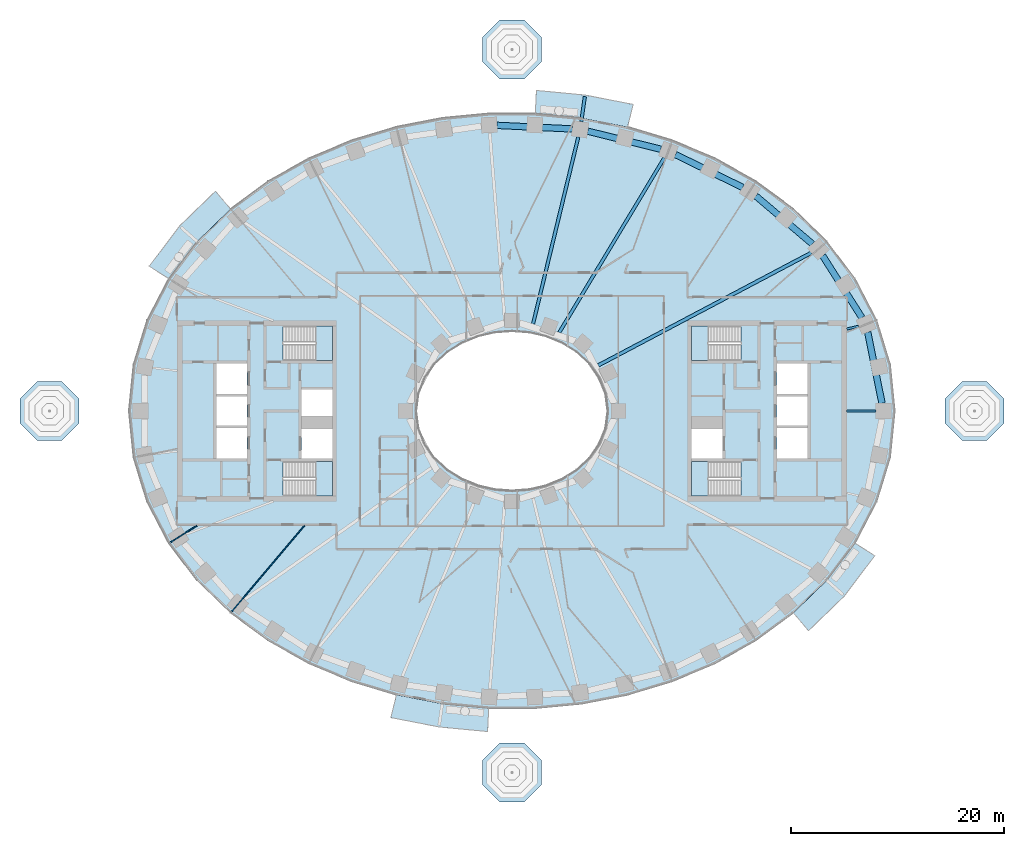
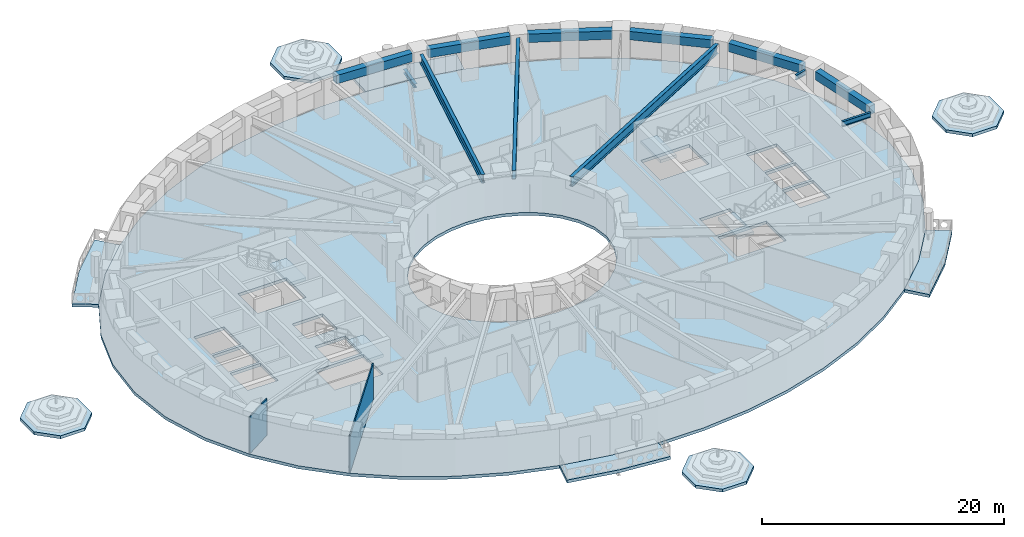
# One storey, part 2 of 20: 13 slabs, 12 beams, 2 walls, 4 elements without a shape of their own.
"""IFC4 building model written with IfcOpenShell, lengths in metres."""

from ifc_helpers import new_model, si_unit, direction, frame, frame_2d, origin, origin_2d, place, context, subcontext, project, spatial, polyline, rectangle, i_section, outline, extrude, material, layer, layer_set, material_profile, profile_set, type_object, element, aggregate, save


model = new_model("IFC4")

# Units and contexts
model_context = context("Model", 3, precision=1e-05, world=origin(), true_north=direction((0.0, 1.0)))
body_context = subcontext(model_context, "Body", "Model", "MODEL_VIEW")
ifc_project = project(units=[si_unit("LENGTHUNIT", "METRE"), si_unit("AREAUNIT", "SQUARE_METRE"), si_unit("VOLUMEUNIT", "CUBIC_METRE"), si_unit("PLANEANGLEUNIT", "RADIAN"), si_unit("MASSUNIT", "GRAM", prefix="KILO")], contexts=[model_context])

# Site, building, storey
site_placement = place(None, origin())
site = spatial("IfcSite", under=ifc_project, at=site_placement, CompositionType="ELEMENT")
building_placement = place(site_placement, origin())
building = spatial("IfcBuilding", under=site, at=building_placement, Name="Noorbagh Ring Tower", CompositionType="ELEMENT")
storey_placement = place(building_placement, frame((0.0, 0.0, 34.5)))
storey = spatial("IfcBuildingStorey", under=building, at=storey_placement, Name="L06", CompositionType="ELEMENT", Elevation=34.5)

# Beams
ifc_material_1 = material(Name="Steel S355", Category="steel")
ifc_material_profile_1 = material_profile(ifc_material_1, i_section(OverallWidth=0.300048828125, OverallDepth=0.39990234375, WebThickness=0.013427734375, FlangeThickness=0.02392578125, FilletRadius=0.027099609375, at=origin_2d()), Name="HEB400")
ifc_profile_set_1 = profile_set([ifc_material_profile_1], Name="Steel S355")
beam_type_1 = type_object("IfcBeamType", Name="STR-BALCONY-BRACKET-HEB400", PredefinedType="BEAM", material=ifc_profile_set_1)
beam_1_placement = place(storey_placement, frame((6.513671875, 27.21337890625, -0.5), z_axis=(0.143062628068, 0.989713637599, 0.0), x_axis=(-0.989713637599, 0.143062628068, 0.0)))
element("IfcBeam", 1, at=beam_1_placement, inside=storey, type_object=beam_type_1, Name="Balcony bracket beam BN03", PredefinedType="BEAM", context=body_context, shape_type="SweptSolid", body=[
    extrude(i_section(OverallWidth=0.300048828125, OverallDepth=0.39990234375, WebThickness=0.013427734375, FlangeThickness=0.02392578125, FilletRadius=0.027099609375, at=origin_2d()), origin(), (0.0, 0.0, 1.0), 2.373779296875),
])
ifc_material_2 = material(Name="Steel S355", Category="steel")
ifc_material_profile_2 = material_profile(ifc_material_2, i_section(OverallWidth=0.199951171875, OverallDepth=0.5, WebThickness=0.01025390625, FlangeThickness=0.01611328125, FilletRadius=0.02099609375, at=origin_2d()), Name="IPE500")
ifc_profile_set_2 = profile_set([ifc_material_profile_2], Name="Steel S355")
beam_type_2 = type_object("IfcBeamType", Name="STR-RAD-IPE500", PredefinedType="BEAM", material=ifc_profile_set_2)
beam_2_placement = place(storey_placement, frame((34.214599609375, 0.0, 3.449951171875), z_axis=(-1.0, 0.0, 0.0), x_axis=(0.0, -1.0, 0.0)))
element("IfcBeam", 2, at=beam_2_placement, inside=storey, type_object=beam_type_2, Name="L06/bm/RD01", PredefinedType="BEAM", context=body_context, shape_type="SweptSolid", body=[
    extrude(i_section(OverallWidth=0.199951171875, OverallDepth=0.5, WebThickness=0.01025390625, FlangeThickness=0.01611328125, FilletRadius=0.02099609375, at=origin_2d()), origin(), (0.0, 0.0, 1.0), 2.734619140625),
])
beam_3_placement = place(storey_placement, frame((32.587890625, 7.973876953125, 3.449951171875), z_axis=(-0.971339703518, -0.237695562369, 0.0), x_axis=(0.237695562369, -0.971339703518, 0.0)))
element("IfcBeam", 3, at=beam_3_placement, inside=storey, type_object=beam_type_2, Name="L06/bm/RD03", PredefinedType="BEAM", context=body_context, shape_type="SweptSolid", body=[
    extrude(i_section(OverallWidth=0.199951171875, OverallDepth=0.5, WebThickness=0.01025390625, FlangeThickness=0.01611328125, FilletRadius=0.02099609375, at=origin_2d()), origin(), (0.0, 0.0, 1.0), 1.14013671875),
])
ifc_material_3 = material(Name="Steel S355", Category="steel")
ifc_material_profile_3 = material_profile(ifc_material_3, i_section(OverallWidth=0.300048828125, OverallDepth=0.85009765625, WebThickness=0.013916015625, FlangeThickness=0.028076171875, at=origin_2d()), Name="PG850x300x14x28")
ifc_profile_set_3 = profile_set([ifc_material_profile_3], Name="Steel S355")
beam_type_3 = type_object("IfcBeamType", Name="STR-RAD-PG850x300x14x28", PredefinedType="BEAM", material=ifc_profile_set_3)
beam_4_placement = place(storey_placement, frame((14.325439453125, 23.802734375, 3.27490234375), z_axis=(-0.515656740038, -0.856795265191, 0.0), x_axis=(0.856795265191, -0.515656740038, 0.0)))
element("IfcBeam", 4, at=beam_4_placement, inside=storey, type_object=beam_type_3, Name="L06/bm/RD09", PredefinedType="BEAM", context=body_context, shape_type="SweptSolid", body=[
    extrude(i_section(OverallWidth=0.300048828125, OverallDepth=0.85009765625, WebThickness=0.013916015625, FlangeThickness=0.028076171875, at=origin_2d()), origin(), (0.0, 0.0, 1.0), 19.16552734375),
])
beam_5_placement = place(storey_placement, frame((6.23681640625, 25.778076171875, 3.27490234375), z_axis=(-0.235164261049, -0.971955642159, 0.0), x_axis=(0.971955642159, -0.235164261049, 0.0)))
element("IfcBeam", 5, at=beam_5_placement, inside=storey, type_object=beam_type_3, Name="L06/bm/RD11", PredefinedType="BEAM", context=body_context, shape_type="SweptSolid", body=[
    extrude(i_section(OverallWidth=0.300048828125, OverallDepth=0.85009765625, WebThickness=0.013916015625, FlangeThickness=0.028076171875, at=origin_2d()), origin(), (0.0, 0.0, 1.0), 18.104736328125),
])
ifc_material_4 = material(Name="Steel S355", Category="steel")
ifc_material_profile_4 = material_profile(ifc_material_4, i_section(OverallWidth=0.320068359375, OverallDepth=0.949951171875, WebThickness=0.01611328125, FlangeThickness=0.030029296875, at=origin_2d()), Name="PG950x320x16x30")
ifc_profile_set_4 = profile_set([ifc_material_profile_4], Name="Steel S355")
beam_type_4 = type_object("IfcBeamType", Name="STR-RAD-PG950x320x16x30", PredefinedType="BEAM", material=ifc_profile_set_4)
beam_6_placement = place(storey_placement, frame((28.154052734375, 14.879150390625, 3.22509765625), z_axis=(-0.88412365795, -0.467252990844, 0.0), x_axis=(0.467252990844, -0.88412365795, 0.0)))
element("IfcBeam", 6, at=beam_6_placement, inside=storey, type_object=beam_type_4, Name="L06/bm/RD05", PredefinedType="BEAM", context=body_context, shape_type="SweptSolid", body=[
    extrude(i_section(OverallWidth=0.320068359375, OverallDepth=0.949951171875, WebThickness=0.01611328125, FlangeThickness=0.030029296875, at=origin_2d()), origin(), (0.0, 0.0, 1.0), 22.67822265625),
])
ifc_material_5 = material(Name="Concrete C40/50", Category="concrete")
ifc_material_profile_5 = material_profile(ifc_material_5, rectangle(XDim=0.60009765625, YDim=0.85009765625, at=origin_2d()), Name="RC600x850")
ifc_profile_set_5 = profile_set([ifc_material_profile_5], Name="Concrete C40/50")
beam_type_5 = type_object("IfcBeamType", Name="STR-SB-RC600x850-C40-50", PredefinedType="BEAM", material=ifc_profile_set_5)
beam_7_placement = place(storey_placement, frame((34.7978515625, 0.73046875, 3.27490234375), z_axis=(-0.197244389947, 0.980354349526, 0.0), x_axis=(-0.980354349526, -0.197244389947, 0.0)))
element("IfcBeam", 7, at=beam_7_placement, inside=storey, type_object=beam_type_5, Name="L06/bm/SP01", PredefinedType="BEAM", context=body_context, shape_type="SweptSolid", body=[
    extrude(rectangle(XDim=0.60009765625, YDim=0.85009765625, at=origin_2d()), origin(), (0.0, 0.0, 1.0), 6.82373046875),
])
beam_8_placement = place(storey_placement, frame((32.908203125, 8.77587890625, 3.27490234375), z_axis=(-0.535194304559, 0.844728983975, 0.0), x_axis=(-0.844728983975, -0.535194304559, 0.0)))
element("IfcBeam", 8, at=beam_8_placement, inside=storey, type_object=beam_type_5, Name="L06/bm/SP03", PredefinedType="BEAM", context=body_context, shape_type="SweptSolid", body=[
    extrude(rectangle(XDim=0.60009765625, YDim=0.85009765625, at=origin_2d()), origin(), (0.0, 0.0, 1.0), 6.9013671875),
])
beam_9_placement = place(storey_placement, frame((28.255859375, 15.707275390625, 3.27490234375), z_axis=(-0.763024386832, 0.646369696922, 0.0), x_axis=(-0.646369696922, -0.763024386832, 0.0)))
element("IfcBeam", 9, at=beam_9_placement, inside=storey, type_object=beam_type_5, Name="L06/bm/SP05", PredefinedType="BEAM", context=body_context, shape_type="SweptSolid", body=[
    extrude(rectangle(XDim=0.60009765625, YDim=0.85009765625, at=origin_2d()), origin(), (0.0, 0.0, 1.0), 6.988037109375),
])
beam_10_placement = place(storey_placement, frame((21.701416015625, 21.02294921875, 3.27490234375), z_axis=(-0.898409265653, 0.439159186843, 0.0), x_axis=(-0.439159186843, -0.898409265653, 0.0)))
element("IfcBeam", 10, at=beam_10_placement, inside=storey, type_object=beam_type_5, Name="L06/bm/SP07", PredefinedType="BEAM", context=body_context, shape_type="SweptSolid", body=[
    extrude(rectangle(XDim=0.60009765625, YDim=0.85009765625, at=origin_2d()), origin(), (0.0, 0.0, 1.0), 7.048095703125),
])
beam_11_placement = place(storey_placement, frame((13.996826171875, 24.616943359375, 3.27490234375), z_axis=(-0.970830070282, 0.23976858559, 0.0), x_axis=(-0.23976858559, -0.970830070282, 0.0)))
element("IfcBeam", 11, at=beam_11_placement, inside=storey, type_object=beam_type_5, Name="L06/bm/SP09", PredefinedType="BEAM", context=body_context, shape_type="SweptSolid", body=[
    extrude(rectangle(XDim=0.60009765625, YDim=0.85009765625, at=origin_2d()), origin(), (0.0, 0.0, 1.0), 7.081787109375),
])
beam_12_placement = place(storey_placement, frame((5.676513671875, 26.525634765625, 3.27490234375), z_axis=(-0.998868682603, 0.047553705583, 0.0), x_axis=(-0.047553705583, -0.998868682603, 0.0)))
element("IfcBeam", 12, at=beam_12_placement, inside=storey, type_object=beam_type_5, Name="L06/bm/SP11", PredefinedType="BEAM", context=body_context, shape_type="SweptSolid", body=[
    extrude(rectangle(XDim=0.60009765625, YDim=0.85009765625, at=origin_2d()), origin(), (0.0, 0.0, 1.0), 7.09521484375),
])

# Stair, slab
ifc_material_6 = material(Name="Concrete C40/50", Category="concrete")
stair_type = type_object("IfcStairType", Name="CORE-STAIR", PredefinedType="HALF_TURN_STAIR", material=ifc_material_6)
stair_1_placement = place(storey_placement, origin())
stair_1 = element("IfcStair", 13, at=stair_1_placement, inside=storey, type_object=stair_type, Name="L06 Exit stair ST1", PredefinedType="HALF_TURN_STAIR")
ifc_material_7 = material(Name="Concrete C40/50", Category="concrete")
ifc_layer_1 = layer(ifc_material_7, 0.300048828125)
ifc_layer_set_1 = layer_set([ifc_layer_1], Name="Concrete C40/50")
slab_type_1 = type_object("IfcSlabType", Name="CORE-STAIR-LANDING", PredefinedType="LANDING", material=ifc_layer_set_1)
slab_1_placement = place(storey_placement, frame((0.0, 0.0, 1.699951171875)))
slab_1 = element("IfcSlab", 14, at=slab_1_placement, type_object=slab_type_1, Name="ST1 landing 1", PredefinedType="LANDING", context=body_context, shape_type="SweptSolid", body=[
    extrude(outline(polyline([(-18.449951171875, 4.75), (-16.89990234375, 4.75), (-16.89990234375, 8.0), (-18.449951171875, 8.0), (-18.449951171875, 4.75)])), origin(), (0.0, 0.0, 1.0), 0.300048828125),
])
aggregate(stair_1, [slab_1])

stair_2_placement = place(storey_placement, origin())
stair_2 = element("IfcStair", 15, at=stair_2_placement, inside=storey, type_object=stair_type, Name="L06 Exit stair ST2", PredefinedType="HALF_TURN_STAIR")
slab_2_placement = place(storey_placement, frame((0.0, 0.0, 1.699951171875)))
slab_2 = element("IfcSlab", 16, at=slab_2_placement, type_object=slab_type_1, Name="ST2 landing 1", PredefinedType="LANDING", context=body_context, shape_type="SweptSolid", body=[
    extrude(outline(polyline([(-18.449951171875, -8.0), (-16.89990234375, -8.0), (-16.89990234375, -4.75), (-18.449951171875, -4.75), (-18.449951171875, -8.0)])), origin(), (0.0, 0.0, 1.0), 0.300048828125),
])
aggregate(stair_2, [slab_2])

stair_3_placement = place(storey_placement, origin())
stair_3 = element("IfcStair", 17, at=stair_3_placement, inside=storey, type_object=stair_type, Name="L06 Exit stair ST3", PredefinedType="HALF_TURN_STAIR")
slab_3_placement = place(storey_placement, frame((0.0, 0.0, 1.699951171875)))
slab_3 = element("IfcSlab", 18, at=slab_3_placement, type_object=slab_type_1, Name="ST3 landing 1", PredefinedType="LANDING", context=body_context, shape_type="SweptSolid", body=[
    extrude(outline(polyline([(18.449951171875, 8.0), (16.89990234375, 8.0), (16.89990234375, 4.75), (18.449951171875, 4.75), (18.449951171875, 8.0)])), origin(), (0.0, 0.0, 1.0), 0.300048828125),
])
aggregate(stair_3, [slab_3])

stair_4_placement = place(storey_placement, origin())
stair_4 = element("IfcStair", 19, at=stair_4_placement, inside=storey, type_object=stair_type, Name="L06 Exit stair ST4", PredefinedType="HALF_TURN_STAIR")
slab_4_placement = place(storey_placement, frame((0.0, 0.0, 1.699951171875)))
slab_4 = element("IfcSlab", 20, at=slab_4_placement, type_object=slab_type_1, Name="ST4 landing 1", PredefinedType="LANDING", context=body_context, shape_type="SweptSolid", body=[
    extrude(outline(polyline([(18.449951171875, -4.75), (16.89990234375, -4.75), (16.89990234375, -8.0), (18.449951171875, -8.0), (18.449951171875, -4.75)])), origin(), (0.0, 0.0, 1.0), 0.300048828125),
])
aggregate(stair_4, [slab_4])

# Slabs
ifc_material_8 = material(Name="Concrete C40/50", Category="concrete")
ifc_layer_2 = layer(ifc_material_8, 0.300048828125)
ifc_layer_set_2 = layer_set([ifc_layer_2], Name="Concrete C40/50")
slab_type_2 = type_object("IfcSlabType", Name="ENV-BALCONY DECK 300", PredefinedType="FLOOR", material=ifc_layer_set_2)
slab_5_placement = place(storey_placement, frame((0.0, 0.0, -0.300048828125)))
element("IfcSlab", 21, at=slab_5_placement, inside=storey, type_object=slab_type_2, Name="Tree balcony deck BN03", PredefinedType="FLOOR", context=body_context, shape_type="SweptSolid", body=[
    extrude(outline(polyline([(11.3935546875, 28.832763671875), (6.874755859375, 29.711181640625), (2.2978515625, 30.14794921875), (2.193115234375, 27.947998046875), (6.5595703125, 27.53125), (10.865234375, 26.6943359375), (11.3935546875, 28.832763671875)])), origin(), (0.0, 0.0, 1.0), 0.300048828125),
])
slab_6_placement = place(storey_placement, frame((0.0, 0.0, -0.300048828125)))
element("IfcSlab", 22, at=slab_6_placement, inside=storey, type_object=slab_type_2, Name="Tree balcony deck BN06", PredefinedType="FLOOR", context=body_context, shape_type="SweptSolid", body=[
    extrude(outline(polyline([(-27.888671875, 20.665771484375), (-31.26025390625, 17.389892578125), (-34.120361328125, 13.615966796875), (-32.255126953125, 12.434814453125), (-29.607666015625, 15.92822265625), (-26.463134765625, 18.983154296875), (-27.888671875, 20.665771484375)])), origin(), (0.0, 0.0, 1.0), 0.300048828125),
])
slab_7_placement = place(storey_placement, frame((0.0, 0.0, -0.300048828125)))
element("IfcSlab", 23, at=slab_7_placement, inside=storey, type_object=slab_type_2, Name="Tree balcony deck BS03", PredefinedType="FLOOR", context=body_context, shape_type="SweptSolid", body=[
    extrude(outline(polyline([(-11.3935546875, -28.832763671875), (-6.874755859375, -29.711181640625), (-2.2978515625, -30.14794921875), (-2.193115234375, -27.947998046875), (-6.5595703125, -27.53125), (-10.865234375, -26.6943359375), (-11.3935546875, -28.832763671875)])), origin(), (0.0, 0.0, 1.0), 0.300048828125),
])
slab_8_placement = place(storey_placement, frame((0.0, 0.0, -0.300048828125)))
element("IfcSlab", 24, at=slab_8_placement, inside=storey, type_object=slab_type_2, Name="Tree balcony deck BS06", PredefinedType="FLOOR", context=body_context, shape_type="SweptSolid", body=[
    extrude(outline(polyline([(27.888671875, -20.665771484375), (31.26025390625, -17.389892578125), (34.120361328125, -13.615966796875), (32.255126953125, -12.434814453125), (29.607666015625, -15.92822265625), (26.463134765625, -18.983154296875), (27.888671875, -20.665771484375)])), origin(), (0.0, 0.0, 1.0), 0.300048828125),
])
ifc_material_9 = material(Name="Concrete C40/50", Category="concrete")
ifc_layer_3 = layer(ifc_material_9, 0.300048828125)
ifc_layer_set_3 = layer_set([ifc_layer_3], Name="Concrete C40/50")
slab_type_3 = type_object("IfcSlabType", Name="GND-CHHATRI-DOME", PredefinedType="ROOF", material=ifc_layer_set_3)
slab_9_placement = place(storey_placement, origin())
element("IfcSlab", 25, at=slab_9_placement, inside=storey, type_object=slab_type_3, Name="Chhatri 1 roof", PredefinedType="ROOF", context=body_context, shape_type="SweptSolid", body=[
    extrude(outline(polyline([(46.271484375, 1.148193359375), (44.648193359375, 2.771484375), (42.351806640625, 2.771484375), (40.728515625, 1.148193359375), (40.728515625, -1.148193359375), (42.351806640625, -2.771484375), (44.648193359375, -2.771484375), (46.271484375, -1.148193359375), (46.271484375, 1.148193359375)])), origin(), (0.0, 0.0, 1.0), 0.300048828125),
])
slab_10_placement = place(storey_placement, origin())
element("IfcSlab", 26, at=slab_10_placement, inside=storey, type_object=slab_type_3, Name="Chhatri 2 roof", PredefinedType="ROOF", context=body_context, shape_type="SweptSolid", body=[
    extrude(outline(polyline([(-40.728515625, 1.148193359375), (-42.351806640625, 2.771484375), (-44.648193359375, 2.771484375), (-46.271484375, 1.148193359375), (-46.271484375, -1.148193359375), (-44.648193359375, -2.771484375), (-42.351806640625, -2.771484375), (-40.728515625, -1.148193359375), (-40.728515625, 1.148193359375)])), origin(), (0.0, 0.0, 1.0), 0.300048828125),
])
slab_11_placement = place(storey_placement, origin())
element("IfcSlab", 27, at=slab_11_placement, inside=storey, type_object=slab_type_3, Name="Chhatri 3 roof", PredefinedType="ROOF", context=body_context, shape_type="SweptSolid", body=[
    extrude(outline(polyline([(2.771484375, 35.148193359375), (1.148193359375, 36.771484375), (-1.148193359375, 36.771484375), (-2.771484375, 35.148193359375), (-2.771484375, 32.851806640625), (-1.148193359375, 31.228515625), (1.148193359375, 31.228515625), (2.771484375, 32.851806640625), (2.771484375, 35.148193359375)])), origin(), (0.0, 0.0, 1.0), 0.300048828125),
])
slab_12_placement = place(storey_placement, origin())
element("IfcSlab", 28, at=slab_12_placement, inside=storey, type_object=slab_type_3, Name="Chhatri 4 roof", PredefinedType="ROOF", context=body_context, shape_type="SweptSolid", body=[
    extrude(outline(polyline([(2.771484375, -32.851806640625), (1.148193359375, -31.228515625), (-1.148193359375, -31.228515625), (-2.771484375, -32.851806640625), (-2.771484375, -35.148193359375), (-1.148193359375, -36.771484375), (1.148193359375, -36.771484375), (2.771484375, -35.148193359375), (2.771484375, -32.851806640625)])), origin(), (0.0, 0.0, 1.0), 0.300048828125),
])
ifc_material_10 = material(Name="Concrete C40/50", Category="concrete")
ifc_layer_4 = layer(ifc_material_10, 0.300048828125)
ifc_layer_set_4 = layer_set([ifc_layer_4], Name="Concrete C40/50")
slab_type_4 = type_object("IfcSlabType", Name="STR-FLOOR-DECK-300", PredefinedType="FLOOR", material=ifc_layer_set_4)
slab_13_placement = place(storey_placement, frame((0.0, 0.0, -0.300048828125)))
element("IfcSlab", 29, at=slab_13_placement, inside=storey, type_object=slab_type_4, Name="L06/slab/1", PredefinedType="FLOOR", context=body_context, shape_type="SweptSolid", body=[
    extrude(outline(polyline([(36.0, 0.0), (35.56103515625, 4.358642578125), (34.281005859375, 8.548828125), (32.255126953125, 12.434814453125), (29.607666015625, 15.92822265625), (26.463134765625, 18.983154296875), (22.9326171875, 21.583740234375), (19.108154296875, 23.730224609375), (15.0654296875, 25.430419921875), (10.865234375, 26.6943359375), (6.5595703125, 27.53125), (2.193115234375, 27.947998046875), (-2.193115234375, 27.947998046875), (-6.5595703125, 27.53125), (-10.865234375, 26.6943359375), (-15.0654296875, 25.430419921875), (-19.108154296875, 23.730224609375), (-22.9326171875, 21.583740234375), (-26.463134765625, 18.983154296875), (-29.607666015625, 15.92822265625), (-32.255126953125, 12.434814453125), (-34.281005859375, 8.548828125), (-35.56103515625, 4.358642578125), (-36.0, 0.0), (-35.56103515625, -4.358642578125), (-34.281005859375, -8.548828125), (-32.255126953125, -12.434814453125), (-29.607666015625, -15.92822265625), (-26.463134765625, -18.983154296875), (-22.9326171875, -21.583740234375), (-19.108154296875, -23.730224609375), (-15.0654296875, -25.430419921875), (-10.865234375, -26.6943359375), (-6.5595703125, -27.53125), (-2.193115234375, -27.947998046875), (2.193115234375, -27.947998046875), (6.5595703125, -27.53125), (10.865234375, -26.6943359375), (15.0654296875, -25.430419921875), (19.108154296875, -23.730224609375), (22.9326171875, -21.583740234375), (26.463134765625, -18.983154296875), (29.607666015625, -15.92822265625), (32.255126953125, -12.434814453125), (34.281005859375, -8.548828125), (35.56103515625, -4.358642578125), (36.0, 0.0)]), holes=[polyline([(24.89990234375, -1.60009765625), (27.800048828125, -1.60009765625), (27.800048828125, -4.449951171875), (24.89990234375, -4.449951171875), (24.89990234375, -1.60009765625)]), polyline([(24.89990234375, 1.35009765625), (27.800048828125, 1.35009765625), (27.800048828125, -1.35009765625), (24.89990234375, -1.35009765625), (24.89990234375, 1.35009765625)]), polyline([(24.89990234375, 4.449951171875), (27.800048828125, 4.449951171875), (27.800048828125, 1.60009765625), (24.89990234375, 1.60009765625), (24.89990234375, 4.449951171875)]), polyline([(21.529541015625, -4.75), (21.529541015625, -8.0), (16.89990234375, -8.0), (16.89990234375, -4.75), (21.529541015625, -4.75)]), polyline([(21.529541015625, 4.75), (16.89990234375, 4.75), (16.89990234375, 8.0), (21.529541015625, 8.0), (21.529541015625, 4.75)]), polyline([(16.89990234375, -1.699951171875), (19.800048828125, -1.699951171875), (19.800048828125, -4.449951171875), (16.89990234375, -4.449951171875), (16.89990234375, -1.699951171875)]), polyline([(4.697509765625, -6.3974609375), (3.196533203125, -7.010986328125), (1.6171875, -7.3779296875), (0.0, -7.5), (-1.6171875, -7.3779296875), (-3.196533203125, -7.010986328125), (-4.697509765625, -6.3974609375), (-6.071044921875, -5.53662109375), (-7.2587890625, -4.43408203125), (-8.1904296875, -3.10888671875), (-8.79150390625, -1.605224609375), (-9.0, 0.0), (-8.79150390625, 1.605224609375), (-8.1904296875, 3.10888671875), (-7.2587890625, 4.43408203125), (-6.071044921875, 5.53662109375), (-4.697509765625, 6.3974609375), (-3.196533203125, 7.010986328125), (-1.6171875, 7.3779296875), (0.0, 7.5), (1.6171875, 7.3779296875), (3.196533203125, 7.010986328125), (4.697509765625, 6.3974609375), (6.071044921875, 5.53662109375), (7.2587890625, 4.43408203125), (8.1904296875, 3.10888671875), (8.79150390625, 1.605224609375), (9.0, 0.0), (8.79150390625, -1.605224609375), (8.1904296875, -3.10888671875), (7.2587890625, -4.43408203125), (6.071044921875, -5.53662109375), (4.697509765625, -6.3974609375)]), polyline([(-21.529541015625, -8.0), (-21.529541015625, -4.75), (-16.89990234375, -4.75), (-16.89990234375, -8.0), (-21.529541015625, -8.0)]), polyline([(-21.529541015625, 8.0), (-16.89990234375, 8.0), (-16.89990234375, 4.75), (-21.529541015625, 4.75), (-21.529541015625, 8.0)]), polyline([(-16.89990234375, -4.449951171875), (-19.800048828125, -4.449951171875), (-19.800048828125, -1.699951171875), (-16.89990234375, -1.699951171875), (-16.89990234375, -4.449951171875)]), polyline([(-16.89990234375, -0.449951171875), (-19.800048828125, -0.449951171875), (-19.800048828125, 2.0), (-16.89990234375, 2.0), (-16.89990234375, -0.449951171875)]), polyline([(-24.89990234375, -4.449951171875), (-27.800048828125, -4.449951171875), (-27.800048828125, -1.60009765625), (-24.89990234375, -1.60009765625), (-24.89990234375, -4.449951171875)]), polyline([(-24.89990234375, -1.35009765625), (-27.800048828125, -1.35009765625), (-27.800048828125, 1.35009765625), (-24.89990234375, 1.35009765625), (-24.89990234375, -1.35009765625)]), polyline([(-24.89990234375, 1.60009765625), (-27.800048828125, 1.60009765625), (-27.800048828125, 4.449951171875), (-24.89990234375, 4.449951171875), (-24.89990234375, 1.60009765625)])]), origin(), (0.0, 0.0, 1.0), 0.300048828125),
])

# Walls
ifc_material_11 = material(Name="Gypsum board on steel studs", Category="steel")
ifc_layer_5 = layer(ifc_material_11, 0.10009765625)
ifc_layer_set_5 = layer_set([ifc_layer_5], Name="Gypsum board on steel studs")
wall_type = type_object("IfcWallType", Name="PARTITION 100 GYPSUM", PredefinedType="PARTITIONING", material=ifc_layer_set_5)
wall_1_placement = place(storey_placement, frame((-32.2119140625, -12.407958984375, 0.0), z_axis=(0.0, 0.0, 1.0), x_axis=(0.844810627195, 0.535065420467, 0.0)))
element("IfcWall", 30, at=wall_1_placement, inside=storey, type_object=wall_type, Name="L06/wall/P02", PredefinedType="PARTITIONING", context=body_context, shape_type="SweptSolid", body=[
    extrude(rectangle(XDim=3.0478515625, YDim=0.10009765625, at=frame_2d((1.52392578125, 0.0))), origin(), (0.0, 0.0, 1.0), 3.699951171875),
])
wall_2_placement = place(storey_placement, frame((-26.429931640625, -18.945068359375, 0.0), z_axis=(0.0, 0.0, 1.0), x_axis=(0.646400187952, 0.762998556365, 0.0)))
element("IfcWall", 31, at=wall_2_placement, inside=storey, type_object=wall_type, Name="L06/wall/P08", PredefinedType="PARTITIONING", context=body_context, shape_type="SweptSolid", body=[
    extrude(rectangle(XDim=10.703857421875, YDim=0.10009765625, at=frame_2d((5.35205078125, 0.0))), origin(), (0.0, 0.0, 1.0), 3.699951171875),
])

save(model, "model.ifc")
